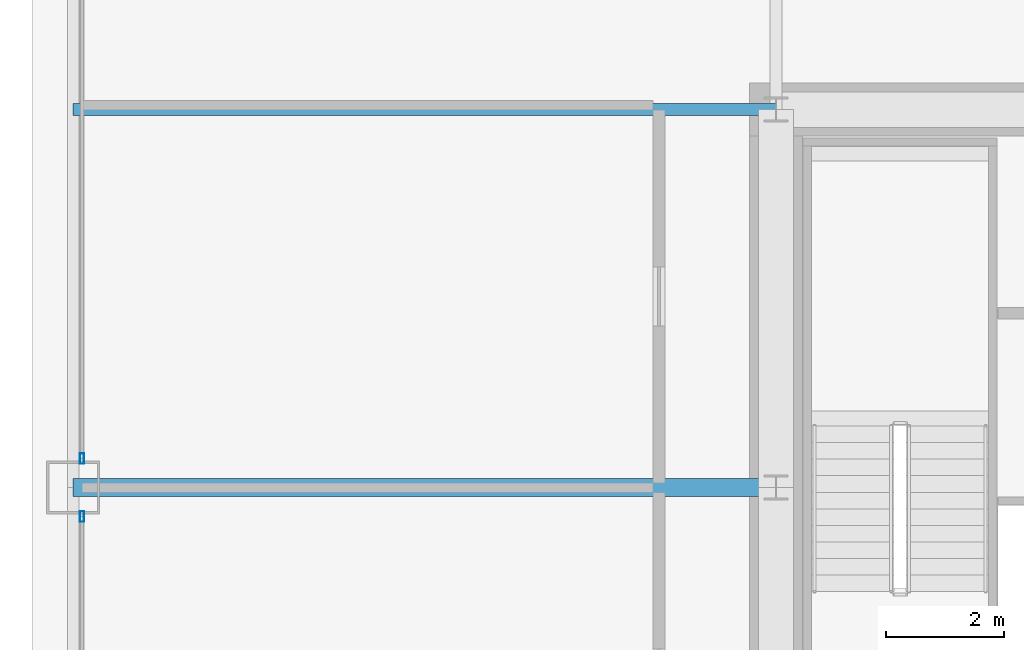
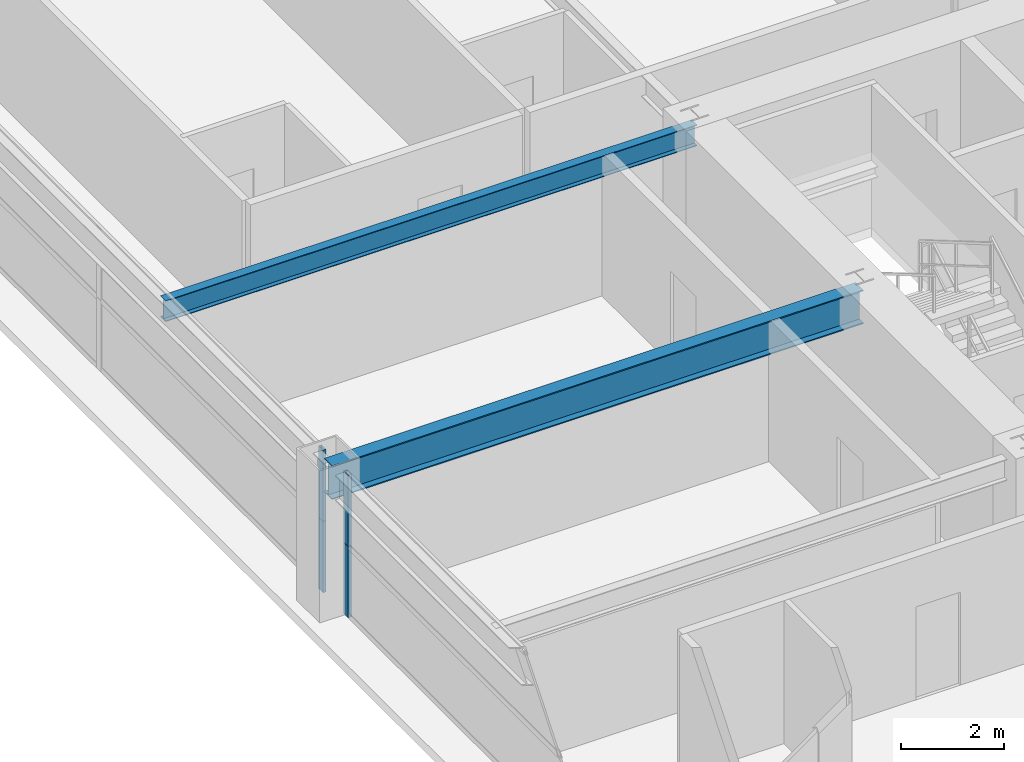
# One storey, part 11 of 43: 4 members, 2 beams, 2 elements without a shape of their own.
"""IFC4 building model written with IfcOpenShell, lengths in metres."""

from ifc_helpers import new_model, si_unit, direction, frame, origin, origin_2d, place, context, subcontext, project, spatial, hollow_rectangle, i_section, extrude, source, transform, mapped, material, layer, layer_set, material_profile, profile_set, type_object, element, aggregate, save


model = new_model("IFC4")

# Units and contexts
model_context = context("Model", 3, precision=1e-05, world=origin(), true_north=direction((0.0, 1.0)))
body_context = subcontext(model_context, "Body", "Model", "MODEL_VIEW")
ifc_project = project(units=[si_unit("LENGTHUNIT", "METRE"), si_unit("AREAUNIT", "SQUARE_METRE"), si_unit("VOLUMEUNIT", "CUBIC_METRE"), si_unit("PLANEANGLEUNIT", "RADIAN"), si_unit("MASSUNIT", "GRAM", prefix="KILO"), si_unit("THERMODYNAMICTEMPERATUREUNIT", "KELVIN"), si_unit("POWERUNIT", "WATT")], contexts=[model_context])

# Site, building, storey
site_placement = place(None, origin())
site = spatial("IfcSite", under=ifc_project, at=site_placement, CompositionType="ELEMENT")
building_placement = place(site_placement, origin())
building = spatial("IfcBuilding", under=site, at=building_placement, Name="Yuzanri Waterfront Tower", CompositionType="ELEMENT")
storey_placement = place(building_placement, frame((0.0, 0.0, 67.60009765625)))
storey = spatial("IfcBuildingStorey", under=building, at=storey_placement, Name="L17", CompositionType="ELEMENT", Elevation=67.60009765625)

# Beams
ifc_material_1 = material(Name="Steel Q355B", Category="steel")
ifc_material_profile_1 = material_profile(ifc_material_1, i_section(OverallWidth=0.300048828125, OverallDepth=0.800048828125, WebThickness=0.013916015625, FlangeThickness=0.02587890625, at=origin_2d()), Name="HN 800x300x14x26")
ifc_profile_set_1 = profile_set([ifc_material_profile_1], Name="Steel Q355B")
beam_type_1 = type_object("IfcBeamType", Name="Primary Floor Girder Q355B HN 800x300", PredefinedType="BEAM", material=ifc_profile_set_1)
shared_shape_1 = source(origin(), body_context, "Body", "SweptSolid", [
    extrude(i_section(OverallWidth=0.300048828125, OverallDepth=0.800048828125, WebThickness=0.013916015625, FlangeThickness=0.02587890625, at=origin_2d()), origin(), (0.0, 0.0, 1.0), 11.900146484375),
])
beam_1_placement = place(storey_placement, frame((23.800048828125, 25.800048828125, 2.97998046875), z_axis=(-1.0, 0.0, 0.0), x_axis=(0.0, -1.0, 0.0)))
element("IfcBeam", 1, at=beam_1_placement, inside=storey, type_object=beam_type_1, Name="L17 West Grid Girder", PredefinedType="BEAM", context=body_context, shape_type="MappedRepresentation", body=[
    mapped(shared_shape_1, transform((0.0, 0.0, 0.0), scale=1.0)),
])
ifc_material_2 = material(Name="Steel Q355B", Category="steel")
ifc_material_profile_2 = material_profile(ifc_material_2, i_section(OverallWidth=0.199951171875, OverallDepth=0.5, WebThickness=0.010009765625, FlangeThickness=0.01611328125, at=origin_2d()), Name="HN 500x200x10x16")
ifc_profile_set_2 = profile_set([ifc_material_profile_2], Name="Steel Q355B")
beam_type_2 = type_object("IfcBeamType", Name="Secondary Floor Beam Q355B HN 500x200", PredefinedType="BEAM", material=ifc_profile_set_2)
shared_shape_2 = source(origin(), body_context, "Body", "SweptSolid", [
    extrude(i_section(OverallWidth=0.199951171875, OverallDepth=0.5, WebThickness=0.010009765625, FlangeThickness=0.01611328125, at=origin_2d()), origin(), (0.0, 0.0, 1.0), 11.900146484375),
])
beam_2_placement = place(storey_placement, frame((23.800048828125, 32.199951171875, 3.1298828125), z_axis=(-1.0, 0.0, 0.0), x_axis=(0.0, -1.0, 0.0)))
element("IfcBeam", 2, at=beam_2_placement, inside=storey, type_object=beam_type_2, Name="L17 West-North Core Line Beam", PredefinedType="BEAM", context=body_context, shape_type="MappedRepresentation", body=[
    mapped(shared_shape_2, transform((0.0, 0.0, 0.0), scale=1.0)),
])

# Curtain wall, members
ifc_material_3 = material(Name="Anodized Architectural Bronze", Category="metal")
ifc_layer = layer(ifc_material_3, 0.159912109375)
ifc_layer_set = layer_set([ifc_layer], Name="Anodized Architectural Bronze")
curtain_wall_type = type_object("IfcCurtainWallType", Name="Anodized Bronze Hotel Lower-Tier Recessed Unitized Curtain Wall 8100", PredefinedType="NOTDEFINED", material=ifc_layer_set)
curtain_wall_1_placement = place(storey_placement, origin())
curtain_wall_1 = element("IfcCurtainWall", 3, at=curtain_wall_1_placement, inside=storey, type_object=curtain_wall_type, Name="L17 Curtain Wall CW-L17-WL", PredefinedType="NOTDEFINED")
ifc_material_4 = material(Name="Anodized Architectural Bronze", Category="metal")
ifc_material_profile_3 = material_profile(ifc_material_4, hollow_rectangle(XDim=0.070068359375, YDim=0.179931640625, WallThickness=0.00390625, at=origin_2d()), Name="CWM 70x180")
ifc_profile_set_3 = profile_set([ifc_material_profile_3], Name="Anodized Architectural Bronze")
member_type = type_object("IfcMemberType", Name="Anodized Bronze Standard Curtain-Wall Mullion 70x180", PredefinedType="MULLION", material=ifc_profile_set_3)
shared_shape_3 = source(origin(), body_context, "Body", "SweptSolid", [
    extrude(hollow_rectangle(XDim=0.070068359375, YDim=0.179931640625, WallThickness=0.00390625, at=origin_2d()), origin(), (0.0, 0.0, 1.0), 1.68798828125),
])
member_1_placement = place(storey_placement, frame((12.050048828125, 25.31005859375, 0.0), z_axis=(0.0, 0.0, 1.0), x_axis=(1.0, 0.0, 0.0)))
member_1 = element("IfcMember", 4, at=member_1_placement, type_object=member_type, Name="CW-L17-WL Lower Mullion 02", PredefinedType="MULLION", context=body_context, shape_type="MappedRepresentation", body=[
    mapped(shared_shape_3, transform((0.0, 0.0, 0.0), scale=1.0)),
])
member_2_placement = place(storey_placement, frame((12.050048828125, 25.31005859375, 1.69189453125), z_axis=(0.0, 0.0, 1.0), x_axis=(1.0, 0.0, 0.0)))
member_2 = element("IfcMember", 5, at=member_2_placement, type_object=member_type, Name="CW-L17-WL Upper Mullion 02", PredefinedType="MULLION", context=body_context, shape_type="MappedRepresentation", body=[
    mapped(shared_shape_3, transform((0.0, 0.0, 0.0), scale=1.0)),
])
aggregate(curtain_wall_1, [member_1, member_2])

curtain_wall_2_placement = place(storey_placement, origin())
curtain_wall_2 = element("IfcCurtainWall", 6, at=curtain_wall_2_placement, inside=storey, type_object=curtain_wall_type, Name="L17 Curtain Wall CW-L17-WR", PredefinedType="NOTDEFINED")
member_3_placement = place(storey_placement, frame((12.050048828125, 26.2900390625, 0.0), z_axis=(0.0, 0.0, 1.0), x_axis=(1.0, 0.0, 0.0)))
member_3 = element("IfcMember", 7, at=member_3_placement, type_object=member_type, Name="CW-L17-WR Lower Mullion 00", PredefinedType="MULLION", context=body_context, shape_type="MappedRepresentation", body=[
    mapped(shared_shape_3, transform((0.0, 0.0, 0.0), scale=1.0)),
])
member_4_placement = place(storey_placement, frame((12.050048828125, 26.2900390625, 1.69189453125), z_axis=(0.0, 0.0, 1.0), x_axis=(1.0, 0.0, 0.0)))
member_4 = element("IfcMember", 8, at=member_4_placement, type_object=member_type, Name="CW-L17-WR Upper Mullion 00", PredefinedType="MULLION", context=body_context, shape_type="MappedRepresentation", body=[
    mapped(shared_shape_3, transform((0.0, 0.0, 0.0), scale=1.0)),
])
aggregate(curtain_wall_2, [member_3, member_4])

save(model, "model.ifc")
